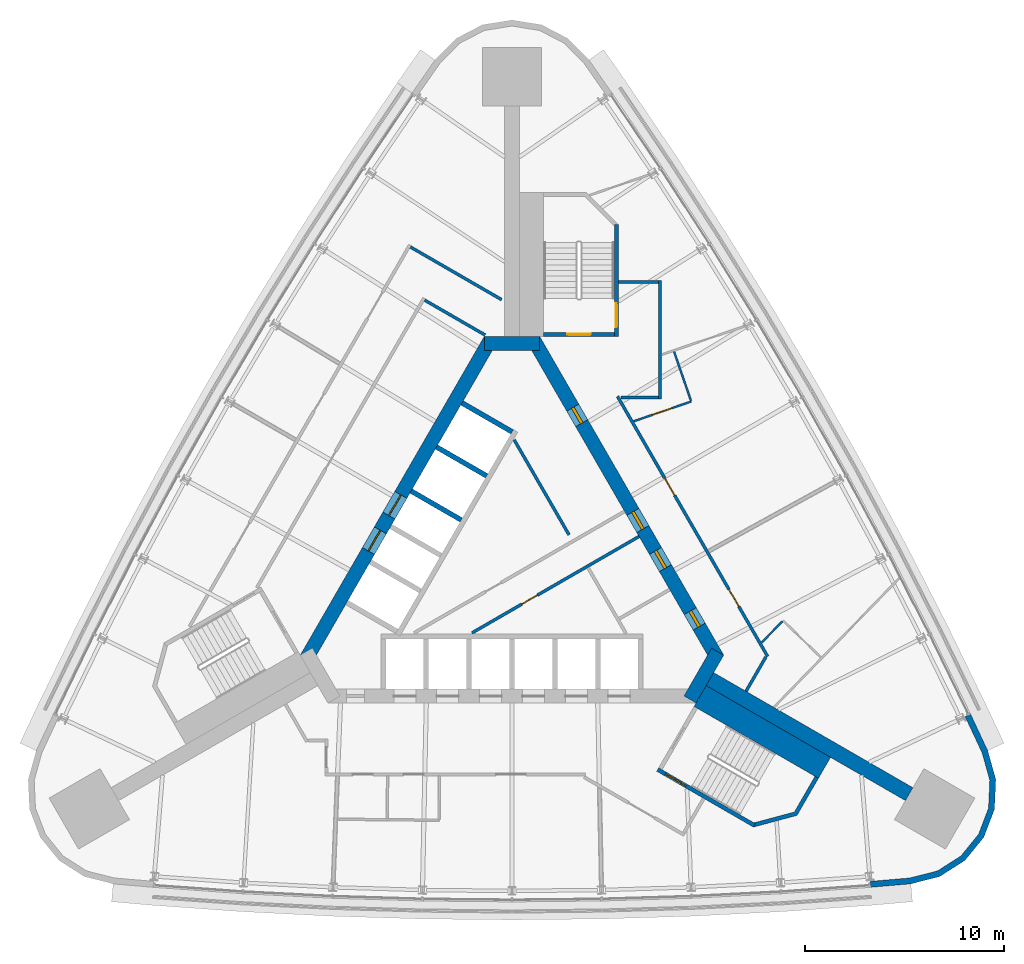
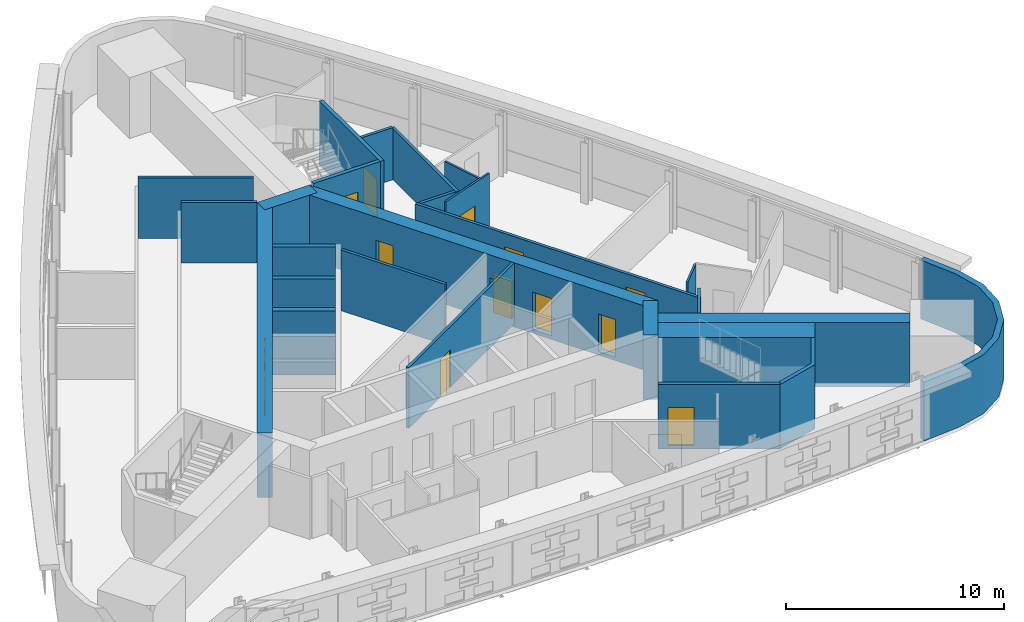
# One storey, part 8 of 11: 26 walls, 13 doors, 13 openings.
"""IFC4 building model written with IfcOpenShell, lengths in metres."""

from ifc_helpers import new_model, si_unit, direction, frame, frame_2d, origin, place, context, subcontext, project, spatial, polyline, rectangle, outline, extrude, material, layer, layer_set, type_object, element, fill, save


model = new_model("IFC4")

# Units and contexts
model_context = context("Model", 3, precision=1e-05, world=origin(), true_north=direction((0.0, 1.0)))
body_context = subcontext(model_context, "Body", "Model", "MODEL_VIEW")
ifc_project = project(units=[si_unit("LENGTHUNIT", "METRE"), si_unit("AREAUNIT", "SQUARE_METRE"), si_unit("VOLUMEUNIT", "CUBIC_METRE"), si_unit("PLANEANGLEUNIT", "RADIAN"), si_unit("MASSUNIT", "GRAM", prefix="KILO")], contexts=[model_context])

# Site, building, storey
site_placement = place(None, origin())
site = spatial("IfcSite", under=ifc_project, at=site_placement, CompositionType="ELEMENT")
building_placement = place(site_placement, origin())
building = spatial("IfcBuilding", under=site, at=building_placement, Name="Noor Cloister Tower", CompositionType="ELEMENT")
storey_placement = place(building_placement, frame((0.0, 0.0, 120.300048828125)))
storey = spatial("IfcBuildingStorey", under=building, at=storey_placement, Name="L31", CompositionType="ELEMENT", Elevation=120.300048828125)

# Wall
ifc_material_1 = material(Name="Concrete C80/95", Category="concrete")
ifc_layer_1 = layer(ifc_material_1, 0.75)
ifc_layer_set_1 = layer_set([ifc_layer_1], Name="Buttress wall 750 C80/95")
wall_type_1 = type_object("IfcWallType", Name="Buttress wall 750 C80/95", PredefinedType="SHEAR", material=ifc_layer_set_1)
wall_1_placement = place(storey_placement, frame((9.921630859375, -5.728271484375, -0.199951171875), z_axis=(0.0, 0.0, 1.0), x_axis=(0.866024913782, -0.500000848707, 0.0)))
element("IfcWall", 1, at=wall_1_placement, inside=storey, type_object=wall_type_1, Name="Buttress wall SE L31", PredefinedType="SHEAR", context=body_context, shape_type="SweptSolid", body=[
    extrude(rectangle(XDim=11.53857421875, YDim=0.75, at=frame_2d((5.769287109375, 0.0))), origin(), (0.0, 0.0, 1.0), 3.599853515625),
])

# Wall, opening, door
ifc_material_2 = material(Name="Concrete C30/37", Category="concrete")
ifc_layer_2 = layer(ifc_material_2, 0.14990234375)
ifc_layer_set_2 = layer_set([ifc_layer_2], Name="Core partition 150 C30/37")
wall_type_2 = type_object("IfcWallType", Name="Core partition 150 C30/37", PredefinedType="PARTITIONING", material=ifc_layer_set_2)
wall_2_placement = place(storey_placement, frame((-2.00439453125, -3.4130859375, 0.0), z_axis=(0.0, 0.0, 1.0), x_axis=(0.866030034802, 0.499991978756, 0.0)))
wall_2 = element("IfcWall", 2, at=wall_2_placement, inside=storey, type_object=wall_type_2, Name="Core room partition L31 2", PredefinedType="PARTITIONING", context=body_context, shape_type="SweptSolid", body=[
    extrude(rectangle(XDim=9.670654296875, YDim=0.14990234375, at=frame_2d((4.83544921875, 0.0))), origin(), (0.0, 0.0, 1.0), 3.39990234375),
])
opening_1_placement = place(wall_2_placement, frame((2.88623046875, 0.0, 0.0)))
opening_1 = element("IfcOpeningElement", 3, at=opening_1_placement, cuts=wall_2, Name="Opening L31-905", PredefinedType="OPENING", context=body_context, shape_type="SweptSolid", body=[
    extrude(rectangle(XDim=0.89990234375, YDim=2.10009765625, at=frame_2d((0.449951171875, 1.050048828125))), frame((0.0, 0.0849609375, 0.0), z_axis=(0.0, -1.0, 0.0), x_axis=(1.0, 0.0, 0.0)), (0.0, 0.0, 1.0), 0.169921875),
])
ifc_material_3 = material(Name="Steel", Category="steel")
door_type_1 = type_object("IfcDoorType", Name="Core door 900 x 2100 FD60", OperationType="SINGLE_SWING_LEFT", PredefinedType="DOOR", material=ifc_material_3)
door_1_placement = place(opening_1_placement, origin())
door_1 = element("IfcDoor", 4, at=door_1_placement, inside=storey, type_object=door_type_1, Name="Core door 5 L31", OperationType="SINGLE_SWING_LEFT", OverallHeight=2.10009765625, OverallWidth=0.89990234375, PredefinedType="DOOR", context=body_context, shape_type="SweptSolid", body=[
    extrude(rectangle(XDim=0.89990234375, YDim=2.10009765625, at=frame_2d((0.449951171875, 1.050048828125))), frame((0.0, 0.02490234375, 0.0), z_axis=(0.0, -1.0, 0.0), x_axis=(1.0, 0.0, 0.0)), (0.0, 0.0, 1.0), 0.050048828125),
])
fill(opening_1, door_1)

# Walls
wall_3_placement = place(storey_placement, frame((2.860107421875, 1.502685546875, 0.0), z_axis=(0.0, 0.0, 1.0), x_axis=(-0.500014382217, 0.866017100048, 0.0)))
element("IfcWall", 5, at=wall_3_placement, inside=storey, type_object=wall_type_2, Name="Core room partition L31 3", PredefinedType="PARTITIONING", context=body_context, shape_type="SweptSolid", body=[
    extrude(rectangle(XDim=5.501708984375, YDim=0.14990234375, at=frame_2d((2.7509765625, 0.0))), origin(), (0.0, 0.0, 1.0), 3.39990234375),
])
ifc_material_4 = material(Name="Concrete C80/95", Category="concrete")
ifc_layer_3 = layer(ifc_material_4, 0.699951171875)
ifc_layer_set_3 = layer_set([ifc_layer_3], Name="Core wall 700 C80/95")
wall_type_3 = type_object("IfcWallType", Name="Core wall 700 C80/95", PredefinedType="SHEAR", material=ifc_layer_set_3)
wall_4_placement = place(storey_placement, frame((8.925537109375, -6.753173828125, -0.199951171875), z_axis=(0.0, 0.0, 1.0), x_axis=(0.500042739161, 0.866000726912, 0.0)))
element("IfcWall", 6, at=wall_4_placement, inside=storey, type_object=wall_type_3, Name="Core wall L31 2", PredefinedType="SHEAR", context=body_context, shape_type="SweptSolid", body=[
    extrude(rectangle(XDim=2.771240234375, YDim=0.699951171875, at=frame_2d((1.3857421875, 0.0))), origin(), (0.0, 0.0, 1.0), 3.599853515625),
])

# Wall, openings, doors
wall_5_placement = place(storey_placement, frame((10.311279296875, -4.703125, -0.199951171875), z_axis=(0.0, 0.0, 1.0), x_axis=(-0.500001446645, 0.866024568562, 0.0)))
wall_5 = element("IfcWall", 7, at=wall_5_placement, inside=storey, type_object=wall_type_3, Name="Core wall L31 3", PredefinedType="SHEAR", context=body_context, shape_type="SweptSolid", body=[
    extrude(rectangle(XDim=18.45751953125, YDim=0.699951171875, at=frame_2d((9.228759765625, 0.0))), origin(), (0.0, 0.0, 1.0), 3.599853515625),
])
opening_2_placement = place(wall_5_placement, frame((7.5, 0.0, 0.199951171875)))
opening_2 = element("IfcOpeningElement", 8, at=opening_2_placement, cuts=wall_5, Name="Opening L31-901", PredefinedType="OPENING", context=body_context, shape_type="SweptSolid", body=[
    extrude(rectangle(XDim=1.0, YDim=2.10009765625, at=frame_2d((0.5, 1.050048828125))), frame((0.0, 0.35986328125, 0.0), z_axis=(0.0, -1.0, 0.0), x_axis=(1.0, 0.0, 0.0)), (0.0, 0.0, 1.0), 0.719970703125),
])
opening_3_placement = place(wall_5_placement, frame((1.85205078125, 0.0, 0.199951171875)))
opening_3 = element("IfcOpeningElement", 9, at=opening_3_placement, cuts=wall_5, Name="Opening L31-902", PredefinedType="OPENING", context=body_context, shape_type="SweptSolid", body=[
    extrude(rectangle(XDim=0.89990234375, YDim=2.10009765625, at=frame_2d((0.449951171875, 1.050048828125))), frame((0.0, 0.35986328125, 0.0), z_axis=(0.0, -1.0, 0.0), x_axis=(1.0, 0.0, 0.0)), (0.0, 0.0, 1.0), 0.719970703125),
])
opening_4_placement = place(wall_5_placement, frame((5.237548828125, 0.0, 0.199951171875)))
opening_4 = element("IfcOpeningElement", 10, at=opening_4_placement, cuts=wall_5, Name="Opening L31-903", PredefinedType="OPENING", context=body_context, shape_type="SweptSolid", body=[
    extrude(rectangle(XDim=1.0, YDim=2.10009765625, at=frame_2d((0.5, 1.050048828125))), frame((0.0, 0.35986328125, 0.0), z_axis=(0.0, -1.0, 0.0), x_axis=(1.0, 0.0, 0.0)), (0.0, 0.0, 1.0), 0.719970703125),
])
opening_5_placement = place(wall_5_placement, frame((13.6298828125, 0.0, 0.199951171875)))
opening_5 = element("IfcOpeningElement", 11, at=opening_5_placement, cuts=wall_5, Name="Opening L31-904", PredefinedType="OPENING", context=body_context, shape_type="SweptSolid", body=[
    extrude(rectangle(XDim=0.89990234375, YDim=2.10009765625, at=frame_2d((0.449951171875, 1.050048828125))), frame((0.0, 0.35986328125, 0.0), z_axis=(0.0, -1.0, 0.0), x_axis=(1.0, 0.0, 0.0)), (0.0, 0.0, 1.0), 0.719970703125),
])
ifc_material_5 = material(Name="Steel", Category="steel")
door_type_2 = type_object("IfcDoorType", Name="Core door 1000 x 2100 FD120", OperationType="SINGLE_SWING_LEFT", PredefinedType="DOOR", material=ifc_material_5)
door_2_placement = place(opening_2_placement, origin())
door_2 = element("IfcDoor", 12, at=door_2_placement, inside=storey, type_object=door_type_2, Name="Core door 1 L31", OperationType="SINGLE_SWING_LEFT", OverallHeight=2.10009765625, OverallWidth=1.0, PredefinedType="DOOR", context=body_context, shape_type="SweptSolid", body=[
    extrude(rectangle(XDim=1.0, YDim=2.10009765625, at=frame_2d((0.5, 1.050048828125))), frame((0.0, 0.074951171875, 0.0), z_axis=(0.0, -1.0, 0.0), x_axis=(1.0, 0.0, 0.0)), (0.0, 0.0, 1.0), 0.14990234375),
])
fill(opening_2, door_2)
ifc_material_6 = material(Name="Steel", Category="steel")
door_type_3 = type_object("IfcDoorType", Name="Core door 1000 x 2100 FD60", OperationType="SINGLE_SWING_LEFT", PredefinedType="DOOR", material=ifc_material_6)
door_3_placement = place(opening_4_placement, origin())
door_3 = element("IfcDoor", 13, at=door_3_placement, inside=storey, type_object=door_type_3, Name="Core door 3 L31", OperationType="SINGLE_SWING_LEFT", OverallHeight=2.10009765625, OverallWidth=1.0, PredefinedType="DOOR", context=body_context, shape_type="SweptSolid", body=[
    extrude(rectangle(XDim=1.0, YDim=2.10009765625, at=frame_2d((0.5, 1.050048828125))), frame((0.0, 0.074951171875, 0.0), z_axis=(0.0, -1.0, 0.0), x_axis=(1.0, 0.0, 0.0)), (0.0, 0.0, 1.0), 0.14990234375),
])
fill(opening_4, door_3)
ifc_material_7 = material(Name="Steel", Category="steel")
door_type_4 = type_object("IfcDoorType", Name="Core door 900 x 2100 FD120", OperationType="SINGLE_SWING_LEFT", PredefinedType="DOOR", material=ifc_material_7)
door_4_placement = place(opening_5_placement, origin())
door_4 = element("IfcDoor", 14, at=door_4_placement, inside=storey, type_object=door_type_4, Name="Core door 4 L31", OperationType="SINGLE_SWING_RIGHT", OverallHeight=2.10009765625, OverallWidth=0.89990234375, PredefinedType="DOOR", context=body_context, shape_type="SweptSolid", body=[
    extrude(rectangle(XDim=0.89990234375, YDim=2.10009765625, at=frame_2d((0.449951171875, 1.050048828125))), frame((0.0, 0.074951171875, 0.0), z_axis=(0.0, -1.0, 0.0), x_axis=(1.0, 0.0, 0.0)), (0.0, 0.0, 1.0), 0.14990234375),
])
fill(opening_5, door_4)
door_5_placement = place(opening_3_placement, origin())
door_5 = element("IfcDoor", 15, at=door_5_placement, inside=storey, type_object=door_type_1, Name="Core door 2 L31", OperationType="SINGLE_SWING_RIGHT", OverallHeight=2.10009765625, OverallWidth=0.89990234375, PredefinedType="DOOR", context=body_context, shape_type="SweptSolid", body=[
    extrude(rectangle(XDim=0.89990234375, YDim=2.10009765625, at=frame_2d((0.449951171875, 1.050048828125))), frame((0.0, 0.074951171875, 0.0), z_axis=(0.0, -1.0, 0.0), x_axis=(1.0, 0.0, 0.0)), (0.0, 0.0, 1.0), 0.14990234375),
])
fill(opening_3, door_5)

# Wall
wall_6_placement = place(storey_placement, frame((1.3857421875, 11.1064453125, -0.199951171875), z_axis=(0.0, 0.0, 1.0), x_axis=(-1.0, 0.0, 0.0)))
element("IfcWall", 16, at=wall_6_placement, inside=storey, type_object=wall_type_3, Name="Core wall L31 4", PredefinedType="SHEAR", context=body_context, shape_type="SweptSolid", body=[
    extrude(rectangle(XDim=2.771484375, YDim=0.699951171875, at=frame_2d((1.3857421875, 0.0))), origin(), (0.0, 0.0, 1.0), 3.599853515625),
])

# Wall, openings, doors
wall_7_placement = place(storey_placement, frame((-1.08251953125, 11.281494140625, -0.199951171875), z_axis=(0.0, 0.0, 1.0), x_axis=(-0.500001446645, -0.866024568562, 0.0)))
wall_7 = element("IfcWall", 17, at=wall_7_placement, inside=storey, type_object=wall_type_3, Name="Core wall L31 5", PredefinedType="SHEAR", context=body_context, shape_type="SweptSolid", body=[
    extrude(rectangle(XDim=18.45751953125, YDim=0.699951171875, at=frame_2d((9.228759765625, 0.0))), origin(), (0.0, 0.0, 1.0), 3.599853515625),
])
opening_6_placement = place(wall_7_placement, frame((8.978759765625, 0.0, 0.199951171875)))
opening_6 = element("IfcOpeningElement", 18, at=opening_6_placement, cuts=wall_7, Name="Opening L31-FF1", PredefinedType="OPENING", context=body_context, shape_type="SweptSolid", body=[
    extrude(rectangle(XDim=1.199951171875, YDim=2.10009765625, at=frame_2d((0.60009765625, 1.050048828125))), frame((0.0, 0.35986328125, 0.0), z_axis=(0.0, -1.0, 0.0), x_axis=(1.0, 0.0, 0.0)), (0.0, 0.0, 1.0), 0.719970703125),
])
opening_7_placement = place(wall_7_placement, frame((11.02880859375, 0.0, 0.199951171875)))
opening_7 = element("IfcOpeningElement", 19, at=opening_7_placement, cuts=wall_7, Name="Opening L31-FF2", PredefinedType="OPENING", context=body_context, shape_type="SweptSolid", body=[
    extrude(rectangle(XDim=1.199951171875, YDim=2.10009765625, at=frame_2d((0.60009765625, 1.050048828125))), frame((0.0, 0.35986328125, 0.0), z_axis=(0.0, -1.0, 0.0), x_axis=(1.0, 0.0, 0.0)), (0.0, 0.0, 1.0), 0.719970703125),
])
ifc_material_8 = material(Name="Stainless steel", Category="steel")
door_type_5 = type_object("IfcDoorType", Name="Lift landing door 1200 x 2100", OperationType="DOUBLE_DOOR_SLIDING", PredefinedType="DOOR", material=ifc_material_8)
door_6_placement = place(opening_6_placement, origin())
door_6 = element("IfcDoor", 20, at=door_6_placement, inside=storey, type_object=door_type_5, Name="Landing door FF1 L31", OperationType="DOUBLE_DOOR_SLIDING", OverallHeight=2.10009765625, OverallWidth=1.199951171875, PredefinedType="DOOR", context=body_context, shape_type="SweptSolid", body=[
    extrude(rectangle(XDim=1.199951171875, YDim=2.10009765625, at=frame_2d((0.60009765625, 1.050048828125))), frame((0.0, 0.02490234375, 0.0), z_axis=(0.0, -1.0, 0.0), x_axis=(1.0, 0.0, 0.0)), (0.0, 0.0, 1.0), 0.050048828125),
])
fill(opening_6, door_6)
door_7_placement = place(opening_7_placement, origin())
door_7 = element("IfcDoor", 21, at=door_7_placement, inside=storey, type_object=door_type_5, Name="Landing door FF2 L31", OperationType="DOUBLE_DOOR_SLIDING", OverallHeight=2.10009765625, OverallWidth=1.199951171875, PredefinedType="DOOR", context=body_context, shape_type="SweptSolid", body=[
    extrude(rectangle(XDim=1.199951171875, YDim=2.10009765625, at=frame_2d((0.60009765625, 1.050048828125))), frame((0.0, 0.02490234375, 0.0), z_axis=(0.0, -1.0, 0.0), x_axis=(1.0, 0.0, 0.0)), (0.0, 0.0, 1.0), 0.050048828125),
])
fill(opening_7, door_7)

# Wall
ifc_material_9 = material(Name="Fire-rated gypsum board partition on steel studs, 150 mm", Category="steel")
ifc_layer_4 = layer(ifc_material_9, 0.14990234375)
ifc_layer_set_4 = layer_set([ifc_layer_4], Name="Fire lobby wall 150")
wall_type_4 = type_object("IfcWallType", Name="Fire lobby wall 150", PredefinedType="PARTITIONING", material=ifc_layer_set_4)
wall_8_placement = place(storey_placement, frame((-4.379150390625, 13.271484375, 0.0), z_axis=(0.0, 0.0, 1.0), x_axis=(0.866019471182, -0.500010275428, 0.0)))
element("IfcWall", 22, at=wall_8_placement, inside=storey, type_object=wall_type_4, Name="Fire lobby wall 150 L31 008", PredefinedType="PARTITIONING", context=body_context, shape_type="SweptSolid", body=[
    extrude(rectangle(XDim=3.5, YDim=0.14990234375, at=frame_2d((1.75, 0.0))), origin(), (0.0, 0.0, 1.0), 3.39990234375),
])

# Wall, openings, doors
ifc_material_10 = material(Name="Gypsum board partition on steel studs, 150 mm", Category="steel")
ifc_layer_5 = layer(ifc_material_10, 0.14990234375)
ifc_layer_set_5 = layer_set([ifc_layer_5], Name="Flat wall 150")
wall_type_5 = type_object("IfcWallType", Name="Flat wall 150", PredefinedType="PARTITIONING", material=ifc_layer_set_5)
wall_9_placement = place(storey_placement, frame((5.28857421875, 8.4462890625, 0.0), z_axis=(0.0, 0.0, 1.0), x_axis=(0.499996620721, -0.866027354803, 0.0)))
wall_9 = element("IfcWall", 23, at=wall_9_placement, inside=storey, type_object=wall_type_5, Name="Flat wall 150 L31 003", PredefinedType="PARTITIONING", context=body_context, shape_type="SweptSolid", body=[
    extrude(rectangle(XDim=15.056640625, YDim=0.14990234375, at=frame_2d((7.5283203125, 0.0))), origin(), (0.0, 0.0, 1.0), 2.846923828125),
])
opening_8_placement = place(wall_9_placement, frame((11.17041015625, 0.0, 0.0)))
opening_8 = element("IfcOpeningElement", 24, at=opening_8_placement, cuts=wall_9, Name="Opening L31-005", PredefinedType="OPENING", context=body_context, shape_type="SweptSolid", body=[
    extrude(rectangle(XDim=1.0, YDim=2.10009765625, at=frame_2d((0.5, 1.050048828125))), frame((0.0, 0.0849609375, 0.0), z_axis=(0.0, -1.0, 0.0), x_axis=(1.0, 0.0, 0.0)), (0.0, 0.0, 1.0), 0.169921875),
])
opening_9_placement = place(wall_9_placement, frame((4.736328125, 0.0, 0.0)))
opening_9 = element("IfcOpeningElement", 25, at=opening_9_placement, cuts=wall_9, Name="Opening L31-006", PredefinedType="OPENING", context=body_context, shape_type="SweptSolid", body=[
    extrude(rectangle(XDim=1.0, YDim=2.10009765625, at=frame_2d((0.5, 1.050048828125))), frame((0.0, 0.0849609375, 0.0), z_axis=(0.0, -1.0, 0.0), x_axis=(1.0, 0.0, 0.0)), (0.0, 0.0, 1.0), 0.169921875),
])
ifc_material_11 = material(Name="Timber door leaf with steel frame", Category="steel")
door_type_6 = type_object("IfcDoorType", Name="Flat entrance door 1000 FD60S", OperationType="NOTDEFINED", PredefinedType="DOOR", material=ifc_material_11)
door_8_placement = place(opening_8_placement, origin())
door_8 = element("IfcDoor", 26, at=door_8_placement, inside=storey, type_object=door_type_6, Name="Flat entrance door 1000 L31-005", OperationType="SINGLE_SWING_RIGHT", OverallHeight=2.10009765625, OverallWidth=1.0, PredefinedType="DOOR", context=body_context, shape_type="SweptSolid", body=[
    extrude(rectangle(XDim=1.0, YDim=2.10009765625, at=frame_2d((0.5, 1.050048828125))), frame((0.0, 0.02490234375, 0.0), z_axis=(0.0, -1.0, 0.0), x_axis=(1.0, 0.0, 0.0)), (0.0, 0.0, 1.0), 0.050048828125),
])
fill(opening_8, door_8)
door_9_placement = place(opening_9_placement, origin())
door_9 = element("IfcDoor", 27, at=door_9_placement, inside=storey, type_object=door_type_6, Name="Flat entrance door 1000 L31-006", OperationType="SINGLE_SWING_LEFT", OverallHeight=2.10009765625, OverallWidth=1.0, PredefinedType="DOOR", context=body_context, shape_type="SweptSolid", body=[
    extrude(rectangle(XDim=1.0, YDim=2.10009765625, at=frame_2d((0.5, 1.050048828125))), frame((0.0, 0.02490234375, 0.0), z_axis=(0.0, -1.0, 0.0), x_axis=(1.0, 0.0, 0.0)), (0.0, 0.0, 1.0), 0.050048828125),
])
fill(opening_9, door_9)

# Walls
wall_10_placement = place(storey_placement, frame((7.41064453125, 8.306396484375, 0.0), z_axis=(0.0, 0.0, 1.0), x_axis=(0.0, 1.0, 0.0)))
element("IfcWall", 28, at=wall_10_placement, inside=storey, type_object=wall_type_5, Name="Flat wall 150 L31 006", PredefinedType="PARTITIONING", context=body_context, shape_type="SweptSolid", body=[
    extrude(rectangle(XDim=5.949951171875, YDim=0.14990234375, at=frame_2d((2.97509765625, 0.0))), origin(), (0.0, 0.0, 1.0), 2.846923828125),
])
wall_11_placement = place(storey_placement, frame((-5.093017578125, 15.93505859375, 0.0), z_axis=(0.0, 0.0, 1.0), x_axis=(0.866033195618, -0.499986503906, 0.0)))
element("IfcWall", 29, at=wall_11_placement, inside=storey, type_object=wall_type_5, Name="Flat wall 150 L31 007", PredefinedType="PARTITIONING", context=body_context, shape_type="SweptSolid", body=[
    extrude(rectangle(XDim=5.282470703125, YDim=0.14990234375, at=frame_2d((2.64111328125, 0.0))), origin(), (0.0, 0.0, 1.0), 3.39990234375),
])
wall_12_placement = place(storey_placement, frame((11.73291015625, -6.3408203125, 0.0), z_axis=(0.0, 0.0, 1.0), x_axis=(0.50003033167, 0.866007891078, 0.0)))
element("IfcWall", 30, at=wall_12_placement, inside=storey, type_object=wall_type_5, Name="Flat wall 150 L31 010", PredefinedType="PARTITIONING", context=body_context, shape_type="SweptSolid", body=[
    extrude(rectangle(XDim=1.99072265625, YDim=0.14990234375, at=frame_2d((0.995361328125, 0.0))), origin(), (0.0, 0.0, 1.0), 3.39990234375),
])
wall_13_placement = place(storey_placement, frame((5.335693359375, 14.181396484375, 0.0), z_axis=(0.0, 0.0, 1.0), x_axis=(1.0, 0.0, 0.0)))
element("IfcWall", 31, at=wall_13_placement, inside=storey, type_object=wall_type_5, Name="Flat wall 150 L31 011", PredefinedType="PARTITIONING", context=body_context, shape_type="SweptSolid", body=[
    extrude(rectangle(XDim=2.0, YDim=0.14990234375, at=frame_2d((1.0, 0.0))), origin(), (0.0, 0.0, 1.0), 2.9228515625),
])
wall_14_placement = place(storey_placement, frame((5.4560546875, 8.38134765625, 0.0), z_axis=(0.0, 0.0, 1.0), x_axis=(1.0, 0.0, 0.0)))
element("IfcWall", 32, at=wall_14_placement, inside=storey, type_object=wall_type_5, Name="Flat wall 150 L31 013", PredefinedType="PARTITIONING", context=body_context, shape_type="SweptSolid", body=[
    extrude(rectangle(XDim=1.879638671875, YDim=0.14990234375, at=frame_2d((0.93994140625, 0.0))), origin(), (0.0, 0.0, 1.0), 2.846923828125),
])
ifc_material_12 = material(Name="Limestone", Category="masonry")
ifc_layer_6 = layer(ifc_material_12, 0.300048828125)
ifc_layer_set_6 = layer_set([ifc_layer_6], Name="Limestone cladding 300")
wall_type_6 = type_object("IfcWallType", Name="Limestone cladding 300", PredefinedType="NOTDEFINED", material=ifc_layer_set_6)
wall_15_placement = place(storey_placement, origin())
element("IfcWall", 33, at=wall_15_placement, inside=storey, type_object=wall_type_6, Name="Limestone pier cladding L31 2.1", PredefinedType="NOTDEFINED", context=body_context, shape_type="SweptSolid", body=[
    extrude(outline(polyline([(17.980224609375, -16.1689453125), (19.99853515625, -15.995361328125), (21.44921875, -15.625244140625), (22.710693359375, -14.81884765625), (23.65576171875, -13.65771484375), (24.18896484375, -12.258544921875), (24.256591796875, -10.762939453125), (23.851806640625, -9.321533203125), (22.992919921875, -7.48681640625), (22.72119140625, -7.614013671875), (23.569580078125, -9.42626953125), (23.95458984375, -10.797607421875), (23.891357421875, -12.19677734375), (23.392578125, -13.505859375), (22.508544921875, -14.59228515625), (21.328369140625, -15.3466796875), (19.9482421875, -15.69873046875), (17.95458984375, -15.8701171875), (17.980224609375, -16.1689453125)])), origin(), (0.0, 0.0, 1.0), 3.300048828125),
])

# Wall, opening, door
ifc_material_13 = material(Name="Gypsum board partition on steel studs, 100 mm", Category="steel")
ifc_layer_7 = layer(ifc_material_13, 0.10009765625)
ifc_layer_set_7 = layer_set([ifc_layer_7], Name="Partition 100")
wall_type_7 = type_object("IfcWallType", Name="Partition 100", PredefinedType="PARTITIONING", material=ifc_layer_set_7)
wall_16_placement = place(storey_placement, frame((6.10693359375, 7.197998046875, 0.0), z_axis=(0.0, 0.0, 1.0), x_axis=(0.94554324897, 0.325496488962, 0.0)))
wall_16 = element("IfcWall", 34, at=wall_16_placement, inside=storey, type_object=wall_type_7, Name="Partition 100 L31 025", PredefinedType="PARTITIONING", context=body_context, shape_type="SweptSolid", body=[
    extrude(rectangle(XDim=3.045166015625, YDim=0.10009765625, at=frame_2d((1.5224609375, 0.0))), origin(), (0.0, 0.0, 1.0), 3.39990234375),
])
opening_10_placement = place(wall_16_placement, frame((1.017822265625, 0.0, 0.0)))
opening_10 = element("IfcOpeningElement", 35, at=opening_10_placement, cuts=wall_16, Name="Opening L31-015", PredefinedType="OPENING", context=body_context, shape_type="SweptSolid", body=[
    extrude(rectangle(XDim=1.0, YDim=2.10009765625, at=frame_2d((0.5, 1.050048828125))), frame((0.0, 0.06005859375, 0.0), z_axis=(0.0, -1.0, 0.0), x_axis=(1.0, 0.0, 0.0)), (0.0, 0.0, 1.0), 0.1201171875),
])
ifc_material_14 = material(Name="Timber door leaf with steel frame", Category="steel")
door_type_7 = type_object("IfcDoorType", Name="Interior door 1000", OperationType="NOTDEFINED", PredefinedType="DOOR", material=ifc_material_14)
door_10_placement = place(opening_10_placement, origin())
door_10 = element("IfcDoor", 36, at=door_10_placement, inside=storey, type_object=door_type_7, Name="Interior door 1000 L31-015", OperationType="SINGLE_SWING_LEFT", OverallHeight=2.10009765625, OverallWidth=1.0, PredefinedType="DOOR", context=body_context, shape_type="SweptSolid", body=[
    extrude(rectangle(XDim=1.0, YDim=2.10009765625, at=frame_2d((0.5, 1.050048828125))), frame((0.0, 0.02490234375, 0.0), z_axis=(0.0, -1.0, 0.0), x_axis=(1.0, 0.0, 0.0)), (0.0, 0.0, 1.0), 0.050048828125),
])
fill(opening_10, door_10)

# Walls
wall_17_placement = place(storey_placement, frame((8.123779296875, 10.69482421875, 0.0), z_axis=(0.0, 0.0, 1.0), x_axis=(0.325536334257, -0.945529531574, 0.0)))
element("IfcWall", 37, at=wall_17_placement, inside=storey, type_object=wall_type_7, Name="Partition 100 L31 026", PredefinedType="PARTITIONING", context=body_context, shape_type="SweptSolid", body=[
    extrude(rectangle(XDim=2.60009765625, YDim=0.10009765625, at=frame_2d((1.300048828125, 0.0))), origin(), (0.0, 0.0, 1.0), 2.846923828125),
])
wall_18_placement = place(storey_placement, frame((12.51806640625, -3.898193359375, 0.0), z_axis=(0.0, 0.0, 1.0), x_axis=(0.69667940227, 0.717382610922, 0.0)))
element("IfcWall", 38, at=wall_18_placement, inside=storey, type_object=wall_type_7, Name="Partition 100 L31 030", PredefinedType="PARTITIONING", context=body_context, shape_type="SweptSolid", body=[
    extrude(rectangle(XDim=1.48583984375, YDim=0.10009765625, at=frame_2d((0.742919921875, 0.0))), origin(), (0.0, 0.0, 1.0), 3.39990234375),
])
ifc_material_15 = material(Name="Concrete C80/95", Category="concrete")
ifc_layer_8 = layer(ifc_material_15, 0.25)
ifc_layer_set_8 = layer_set([ifc_layer_8], Name="Shaft wall 250 C80/95")
wall_type_8 = type_object("IfcWallType", Name="Shaft wall 250 C80/95", PredefinedType="PARTITIONING", material=ifc_layer_set_8)
wall_19_placement = place(storey_placement, frame((-2.50634765625, 8.115478515625, -0.199951171875), z_axis=(0.0, 0.0, 1.0), x_axis=(0.865996321171, -0.50005036918, 0.0)))
element("IfcWall", 39, at=wall_19_placement, inside=storey, type_object=wall_type_8, Name="Lift shaft wall L31 NW 1", PredefinedType="PARTITIONING", context=body_context, shape_type="SweptSolid", body=[
    extrude(rectangle(XDim=2.900146484375, YDim=0.25, at=frame_2d((1.4501953125, 0.0))), origin(), (0.0, 0.0, 1.0), 3.599853515625),
])
for number, where, z_axis, x_axis, name in (
    (40, (-3.78125, 5.906982421875, -0.199951171875), (0.0, 0.0, 1.0), (0.866032775405, -0.499987231761, 0.0), "Lift shaft wall L31 NW 2"),
    (41, (-5.056396484375, 3.69873046875, -0.199951171875), (0.0, 0.0, 1.0), (0.866032775405, -0.499987231761, 0.0), "Lift shaft wall L31 NW 3"),
):
    element("IfcWall", number, at=place(storey_placement, frame(where, z_axis=z_axis, x_axis=x_axis)), inside=storey, type_object=wall_type_8, Name=name, PredefinedType="PARTITIONING", context=body_context, shape_type="SweptSolid", body=[
        extrude(rectangle(XDim=2.89990234375, YDim=0.25, at=frame_2d((1.449951171875, 0.0))), origin(), (0.0, 0.0, 1.0), 3.599853515625),
    ])
ifc_material_16 = material(Name="Concrete C80/95", Category="concrete")
ifc_layer_9 = layer(ifc_material_16, 1.2109375)
ifc_layer_set_9 = layer_set([ifc_layer_9], Name="Stair enclosure wall 1211 C80/95")
wall_type_9 = type_object("IfcWallType", Name="Stair enclosure wall 1211 C80/95", PredefinedType="SHEAR", material=ifc_layer_set_9)
wall_20_placement = place(storey_placement, frame((9.431396484375, -6.5771484375, -0.199951171875), z_axis=(0.0, 0.0, 1.0), x_axis=(0.866018442252, -0.500012057535, 0.0)))
element("IfcWall", 42, at=wall_20_placement, inside=storey, type_object=wall_type_9, Name="Stair enclosure wall ST3 L31 riser side", PredefinedType="SHEAR", context=body_context, shape_type="SweptSolid", body=[
    extrude(rectangle(XDim=7.199951171875, YDim=1.210693359375, at=frame_2d((3.60009765625, 0.0))), origin(), (0.0, 0.0, 1.0), 3.599853515625),
])

# Wall, opening, door
ifc_material_17 = material(Name="Concrete C80/95", Category="concrete")
ifc_layer_10 = layer(ifc_material_17, 0.199951171875)
ifc_layer_set_10 = layer_set([ifc_layer_10], Name="Stair enclosure wall 200 C80/95")
wall_type_10 = type_object("IfcWallType", Name="Stair enclosure wall 200 C80/95", PredefinedType="SHEAR", material=ifc_layer_set_10)
wall_21_placement = place(storey_placement, frame((5.135498046875, 11.556396484375, -0.199951171875), z_axis=(0.0, 0.0, 1.0), x_axis=(-1.0, 0.0, 0.0)))
wall_21 = element("IfcWall", 43, at=wall_21_placement, inside=storey, type_object=wall_type_10, Name="Stair enclosure wall ST1 L31 near end", PredefinedType="SHEAR", context=body_context, shape_type="SweptSolid", body=[
    extrude(rectangle(XDim=3.5498046875, YDim=0.199951171875, at=frame_2d((1.77490234375, 0.0))), origin(), (0.0, 0.0, 1.0), 3.599853515625),
])
opening_11_placement = place(wall_21_placement, frame((1.175048828125, 0.0, 0.199951171875)))
opening_11 = element("IfcOpeningElement", 44, at=opening_11_placement, cuts=wall_21, Name="Opening L31-ST1L", PredefinedType="OPENING", context=body_context, shape_type="SweptSolid", body=[
    extrude(rectangle(XDim=1.199951171875, YDim=2.10009765625, at=frame_2d((0.60009765625, 1.050048828125))), frame((0.0, 0.10986328125, 0.0), z_axis=(0.0, -1.0, 0.0), x_axis=(1.0, 0.0, 0.0)), (0.0, 0.0, 1.0), 0.219970703125),
])
ifc_material_18 = material(Name="Steel", Category="steel")
door_type_8 = type_object("IfcDoorType", Name="Stair door 1200 x 2100 FD120", OperationType="SINGLE_SWING_LEFT", PredefinedType="DOOR", material=ifc_material_18)
door_11_placement = place(opening_11_placement, origin())
door_11 = element("IfcDoor", 45, at=door_11_placement, inside=storey, type_object=door_type_8, Name="Stair door ST1 L31", OperationType="SINGLE_SWING_RIGHT", OverallHeight=2.10009765625, OverallWidth=1.199951171875, PredefinedType="DOOR", context=body_context, shape_type="SweptSolid", body=[
    extrude(rectangle(XDim=1.199951171875, YDim=2.10009765625, at=frame_2d((0.60009765625, 1.050048828125))), frame((0.0, 0.02490234375, 0.0), z_axis=(0.0, -1.0, 0.0), x_axis=(1.0, 0.0, 0.0)), (0.0, 0.0, 1.0), 0.050048828125),
])
fill(opening_11, door_11)

wall_22_placement = place(storey_placement, frame((5.235595703125, 11.456298828125, -0.199951171875), z_axis=(0.0, 0.0, 1.0), x_axis=(0.0, 1.0, 0.0)))
wall_22 = element("IfcWall", 46, at=wall_22_placement, inside=storey, type_object=wall_type_10, Name="Stair enclosure wall ST1 L31 outer side", PredefinedType="SHEAR", context=body_context, shape_type="SweptSolid", body=[
    extrude(rectangle(XDim=5.60009765625, YDim=0.199951171875, at=frame_2d((2.800048828125, 0.0))), origin(), (0.0, 0.0, 1.0), 3.599853515625),
])
opening_12_placement = place(wall_22_placement, frame((0.449951171875, 0.0, 0.199951171875)))
opening_12 = element("IfcOpeningElement", 47, at=opening_12_placement, cuts=wall_22, Name="Opening L31-ST1C", PredefinedType="OPENING", context=body_context, shape_type="SweptSolid", body=[
    extrude(rectangle(XDim=1.199951171875, YDim=2.10009765625, at=frame_2d((0.60009765625, 1.050048828125))), frame((0.0, 0.10986328125, 0.0), z_axis=(0.0, -1.0, 0.0), x_axis=(1.0, 0.0, 0.0)), (0.0, 0.0, 1.0), 0.219970703125),
])
door_12_placement = place(opening_12_placement, origin())
door_12 = element("IfcDoor", 48, at=door_12_placement, inside=storey, type_object=door_type_8, Name="Stair door ST1 L31", OperationType="SINGLE_SWING_LEFT", OverallHeight=2.10009765625, OverallWidth=1.199951171875, PredefinedType="DOOR", context=body_context, shape_type="SweptSolid", body=[
    extrude(rectangle(XDim=1.199951171875, YDim=2.10009765625, at=frame_2d((0.60009765625, 1.050048828125))), frame((0.0, 0.02490234375, 0.0), z_axis=(0.0, -1.0, 0.0), x_axis=(1.0, 0.0, 0.0)), (0.0, 0.0, 1.0), 0.050048828125),
])
fill(opening_12, door_12)

wall_23_placement = place(storey_placement, frame((7.3037109375, -10.262451171875, -0.199951171875), z_axis=(0.0, 0.0, 1.0), x_axis=(0.866026594901, -0.49999793692, 0.0)))
wall_23 = element("IfcWall", 49, at=wall_23_placement, inside=storey, type_object=wall_type_10, Name="Stair enclosure wall ST3 L31 outer side", PredefinedType="SHEAR", context=body_context, shape_type="SweptSolid", body=[
    extrude(rectangle(XDim=5.60009765625, YDim=0.199951171875, at=frame_2d((2.800048828125, 0.0))), origin(), (0.0, 0.0, 1.0), 3.599853515625),
])
opening_13_placement = place(wall_23_placement, frame((0.449951171875, 0.0, 0.199951171875)))
opening_13 = element("IfcOpeningElement", 50, at=opening_13_placement, cuts=wall_23, Name="Opening L31-ST3C", PredefinedType="OPENING", context=body_context, shape_type="SweptSolid", body=[
    extrude(rectangle(XDim=1.199951171875, YDim=2.10009765625, at=frame_2d((0.60009765625, 1.050048828125))), frame((0.0, 0.10986328125, 0.0), z_axis=(0.0, -1.0, 0.0), x_axis=(1.0, 0.0, 0.0)), (0.0, 0.0, 1.0), 0.219970703125),
])
door_13_placement = place(opening_13_placement, origin())
door_13 = element("IfcDoor", 51, at=door_13_placement, inside=storey, type_object=door_type_8, Name="Stair door ST3 L31", OperationType="SINGLE_SWING_LEFT", OverallHeight=2.10009765625, OverallWidth=1.199951171875, PredefinedType="DOOR", context=body_context, shape_type="SweptSolid", body=[
    extrude(rectangle(XDim=1.199951171875, YDim=2.10009765625, at=frame_2d((0.60009765625, 1.050048828125))), frame((0.0, 0.02490234375, 0.0), z_axis=(0.0, -1.0, 0.0), x_axis=(1.0, 0.0, 0.0)), (0.0, 0.0, 1.0), 0.050048828125),
])
fill(opening_13, door_13)

# Wall
ifc_material_19 = material(Name="Concrete C80/95", Category="concrete")
wall_type_11 = type_object("IfcWallType", Name="Stair far end wall C80/95", PredefinedType="SHEAR", material=ifc_material_19)
wall_24_placement = place(storey_placement, frame((0.0, 0.0, -0.199951171875)))
element("IfcWall", 52, at=wall_24_placement, inside=storey, type_object=wall_type_11, Name="Stair enclosure wall ST3 L31 far end", PredefinedType="SHEAR", context=body_context, shape_type="SweptSolid", body=[
    extrude(outline(polyline([(12.103515625, -13.14892578125), (14.2890625, -12.5634765625), (15.364013671875, -10.701416015625), (15.19091796875, -10.601318359375), (14.1572265625, -12.3916015625), (12.131591796875, -12.934326171875), (12.20361328125, -12.975830078125), (12.20361328125, -12.975830078125), (12.20361328125, -12.975830078125), (12.20361328125, -12.975830078125), (12.20361328125, -12.975830078125), (12.20361328125, -12.975830078125), (12.20361328125, -12.975830078125), (12.20361328125, -12.975830078125), (12.20361328125, -12.975830078125), (12.20361328125, -12.975830078125), (12.20361328125, -12.975830078125), (12.20361328125, -12.975830078125), (12.20361328125, -12.975830078125), (12.20361328125, -12.975830078125), (12.20361328125, -12.975830078125), (12.20361328125, -12.975830078125), (12.20361328125, -12.975830078125), (12.103515625, -13.14892578125)])), origin(), (0.0, 0.0, 1.0), 3.599853515625),
])

save(model, "model.ifc")
